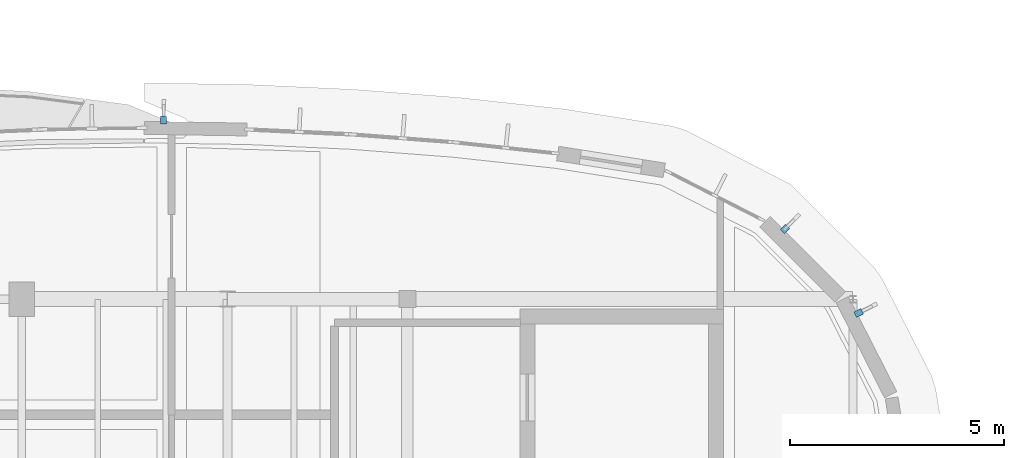
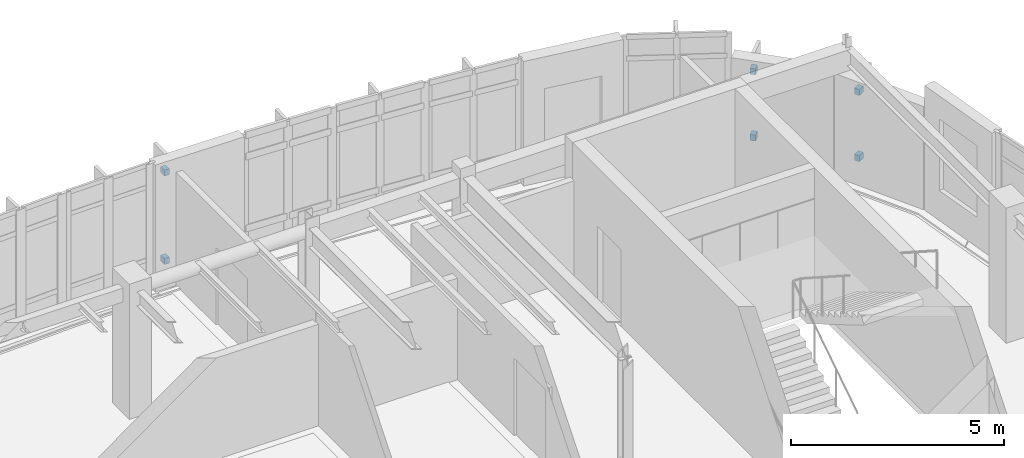
# One storey, part 95 of 111: 6 discrete accessories.
"""IFC4 building model written with IfcOpenShell, lengths in metres."""

from ifc_helpers import new_model, si_unit, direction, frame, origin, origin_2d, place, context, subcontext, project, spatial, rectangle, extrude, material, type_object, element, save


model = new_model("IFC4")

# Units and contexts
model_context = context("Model", 3, precision=1e-05, world=origin(), true_north=direction((0.0, 1.0)))
body_context = subcontext(model_context, "Body", "Model", "MODEL_VIEW")
ifc_project = project(units=[si_unit("LENGTHUNIT", "METRE"), si_unit("AREAUNIT", "SQUARE_METRE"), si_unit("VOLUMEUNIT", "CUBIC_METRE"), si_unit("PLANEANGLEUNIT", "RADIAN"), si_unit("MASSUNIT", "GRAM", prefix="KILO")], contexts=[model_context])

# Site, building, storey
site_placement = place(None, origin())
site = spatial("IfcSite", under=ifc_project, at=site_placement, CompositionType="ELEMENT")
building_placement = place(site_placement, origin())
building = spatial("IfcBuilding", under=site, at=building_placement, Name="Corveleigh Park Community Centre", CompositionType="ELEMENT")
storey_placement = place(building_placement, frame((0.0, 0.0, 4.800048828125)))
storey = spatial("IfcBuildingStorey", under=building, at=storey_placement, Name="L01", CompositionType="ELEMENT", Elevation=4.800048828125)

# Discrete accessories
ifc_material = material(Name="Stainless steel 316 balustrade", Category="steel")
discrete_accessory_type = type_object("IfcDiscreteAccessoryType", Name="ACC-BRK-STL", PredefinedType="BRACKET", material=ifc_material)
for number, where, z_axis, x_axis, name in (
    (1, (168.533935546875, 103.8759765625, 0.5), (0.0, 0.0, 1.0), (0.89086471553, 0.454268707511, 0.0), "Fin fixing bracket lower"),
    (2, (168.533935546875, 103.8759765625, 2.39990234375), (0.0, 0.0, 1.0), (0.89086471553, 0.454268707511, 0.0), "Fin fixing bracket upper"),
    (3, (166.81396484375, 105.8369140625, 0.5), (0.0, 0.0, 1.0), (0.707106781187, 0.707106781187, 0.0), "Fin fixing bracket lower"),
    (4, (166.81396484375, 105.8369140625, 2.39990234375), (0.0, 0.0, 1.0), (0.707106781187, 0.707106781187, 0.0), "Fin fixing bracket upper"),
    (5, (152.31201171875, 108.37890625, 0.5), (0.0, 0.0, 1.0), (0.01541483492, 0.999881184374, 0.0), "Fin fixing bracket lower"),
    (6, (152.31201171875, 108.37890625, 3.037109375), (0.0, 0.0, 1.0), (0.01541483492, 0.999881184374, 0.0), "Fin fixing bracket upper"),
):
    element("IfcDiscreteAccessory", number, at=place(storey_placement, frame(where, z_axis=z_axis, x_axis=x_axis)), inside=storey, type_object=discrete_accessory_type, Name=name, PredefinedType="BRACKET", context=body_context, shape_type="SweptSolid", body=[
        extrude(rectangle(XDim=0.179931640625, YDim=0.139892578125, at=origin_2d()), origin(), (0.0, 0.0, 1.0), 0.169921875),
    ])

save(model, "model.ifc")
